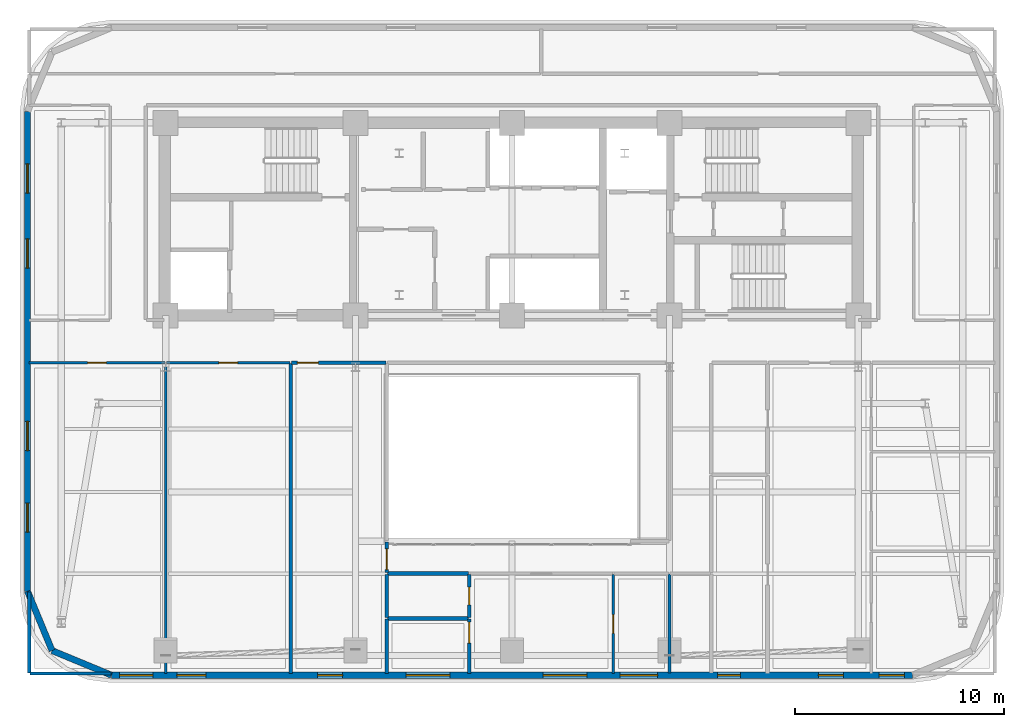
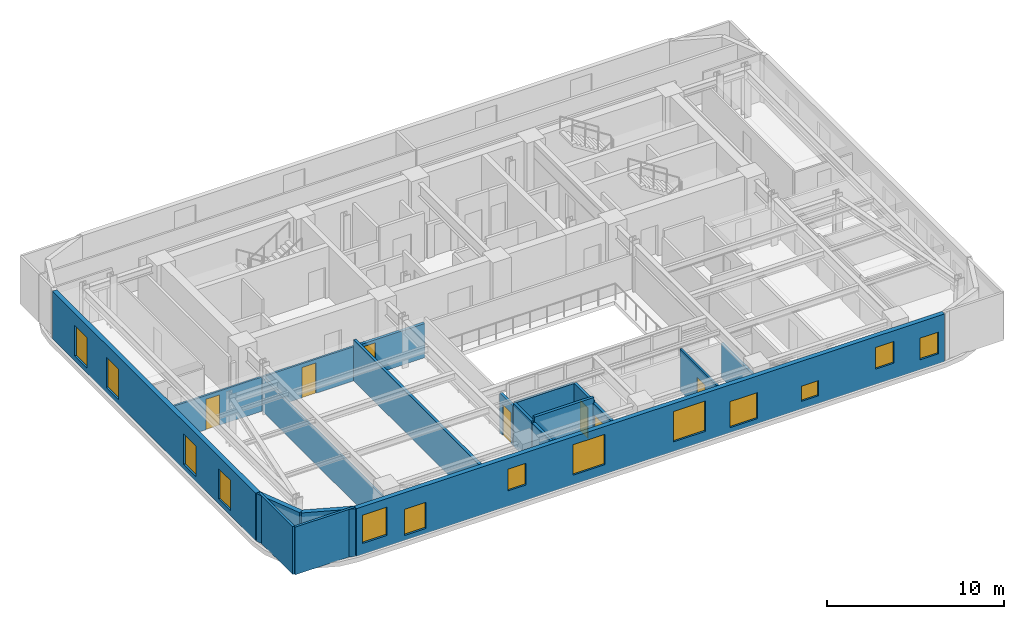
# One storey, part 5 of 12: 20 walls, 13 windows, 7 doors, 20 openings.
"""IFC4 building model written with IfcOpenShell, lengths in metres."""

from ifc_helpers import new_model, si_unit, direction, frame, frame_2d, origin, place, context, subcontext, project, spatial, rectangle, extrude, material, layer, layer_set, type_object, element, fill, save


model = new_model("IFC4")

# Units and contexts
model_context = context("Model", 3, precision=1e-05, world=origin(), true_north=direction((0.0, 1.0)))
body_context = subcontext(model_context, "Body", "Model", "MODEL_VIEW")
ifc_project = project(units=[si_unit("LENGTHUNIT", "METRE"), si_unit("AREAUNIT", "SQUARE_METRE"), si_unit("VOLUMEUNIT", "CUBIC_METRE"), si_unit("PLANEANGLEUNIT", "RADIAN"), si_unit("MASSUNIT", "GRAM", prefix="KILO")], contexts=[model_context])

# Site, building, storey
site_placement = place(None, origin())
site = spatial("IfcSite", under=ifc_project, at=site_placement, CompositionType="ELEMENT")
building_placement = place(site_placement, origin())
building = spatial("IfcBuilding", under=site, at=building_placement, Name="Zarnavel Station Tower", CompositionType="ELEMENT")
storey_placement = place(building_placement, frame((0.0, 0.0, 159.0)))
storey = spatial("IfcBuildingStorey", under=building, at=storey_placement, Name="L43", CompositionType="ELEMENT", Elevation=159.0)

# Wall, openings, windows
ifc_material_1 = material(Name="Precast concrete C45/55 (Dark Basalt Finish)", Category="masonry")
ifc_layer_1 = layer(ifc_material_1, 0.300048828125)
ifc_layer_set_1 = layer_set([ifc_layer_1], Name="EW_BASALT_300")
wall_type_1 = type_object("IfcWallType", Name="EW_BASALT_300", PredefinedType="SOLIDWALL", material=ifc_layer_set_1)
wall_1_placement = place(storey_placement, frame((5.580078125, 14.60009765625, 0.0), z_axis=(0.0, 0.0, 1.0), x_axis=(0.0, 1.0, 0.0)))
wall_1 = element("IfcWall", 1, at=wall_1_placement, inside=storey, type_object=wall_type_1, Name="L43 Exterior Basalt Masonry Frame Wall 09", PredefinedType="SOLIDWALL", context=body_context, shape_type="SweptSolid", body=[
    extrude(rectangle(XDim=23.0, YDim=0.300048828125, at=frame_2d((11.5, 0.0))), origin(), (0.0, 0.0, 1.0), 3.2900390625),
])
opening_1_placement = place(wall_1_placement, frame((15.493408203125, 0.0, 0.340087890625)))
opening_1 = element("IfcOpeningElement", 2, at=opening_1_placement, cuts=wall_1, Name="Opening WN04", PredefinedType="OPENING", context=body_context, shape_type="SweptSolid", body=[
    extrude(rectangle(XDim=1.39990234375, YDim=2.10009765625, at=frame_2d((0.699951171875, 1.050048828125))), frame((0.0, 0.159912109375, 0.0), z_axis=(0.0, -1.0, 0.0), x_axis=(1.0, 0.0, 0.0)), (0.0, 0.0, 1.0), 0.320068359375),
])
opening_2_placement = place(wall_1_placement, frame((19.086669921875, 0.0, 0.340087890625)))
opening_2 = element("IfcOpeningElement", 3, at=opening_2_placement, cuts=wall_1, Name="Opening WN04", PredefinedType="OPENING", context=body_context, shape_type="SweptSolid", body=[
    extrude(rectangle(XDim=1.39990234375, YDim=2.10009765625, at=frame_2d((0.699951171875, 1.050048828125))), frame((0.0, 0.159912109375, 0.0), z_axis=(0.0, -1.0, 0.0), x_axis=(1.0, 0.0, 0.0)), (0.0, 0.0, 1.0), 0.320068359375),
])
opening_3_placement = place(wall_1_placement, frame((2.830078125, 0.0, 0.340087890625)))
opening_3 = element("IfcOpeningElement", 4, at=opening_3_placement, cuts=wall_1, Name="Opening WN04", PredefinedType="OPENING", context=body_context, shape_type="SweptSolid", body=[
    extrude(rectangle(XDim=1.39990234375, YDim=2.10009765625, at=frame_2d((0.699951171875, 1.050048828125))), frame((0.0, 0.159912109375, 0.0), z_axis=(0.0, -1.0, 0.0), x_axis=(1.0, 0.0, 0.0)), (0.0, 0.0, 1.0), 0.320068359375),
])
opening_4_placement = place(wall_1_placement, frame((6.739990234375, 0.0, 0.340087890625)))
opening_4 = element("IfcOpeningElement", 5, at=opening_4_placement, cuts=wall_1, Name="Opening WN04", PredefinedType="OPENING", context=body_context, shape_type="SweptSolid", body=[
    extrude(rectangle(XDim=1.39990234375, YDim=2.10009765625, at=frame_2d((0.699951171875, 1.050048828125))), frame((0.0, 0.159912109375, 0.0), z_axis=(0.0, -1.0, 0.0), x_axis=(1.0, 0.0, 0.0)), (0.0, 0.0, 1.0), 0.320068359375),
])
ifc_material_2 = material(Name="Thermally Broken Black Aluminium and Low-E Dark Glass", Category="aluminium")
window_type_1 = type_object("IfcWindowType", Name="WN_1400x2100", PartitioningType="DOUBLE_PANEL_VERTICAL", PredefinedType="WINDOW", material=ifc_material_2)
window_1_placement = place(opening_1_placement, origin())
window_1 = element("IfcWindow", 6, at=window_1_placement, inside=storey, type_object=window_type_1, Name="L43 Recessed Facade Window 01", OverallHeight=2.10009765625, OverallWidth=1.39990234375, PartitioningType="SINGLE_PANEL", PredefinedType="WINDOW", context=body_context, shape_type="SweptSolid", body=[
    extrude(rectangle(XDim=1.39990234375, YDim=2.10009765625, at=frame_2d((0.699951171875, 1.050048828125))), frame((0.0, 0.030029296875, 0.0), z_axis=(0.0, -1.0, 0.0), x_axis=(1.0, 0.0, 0.0)), (0.0, 0.0, 1.0), 0.06005859375),
])
fill(opening_1, window_1)
window_2_placement = place(opening_2_placement, origin())
window_2 = element("IfcWindow", 7, at=window_2_placement, inside=storey, type_object=window_type_1, Name="L43 Recessed Facade Window 02", OverallHeight=2.10009765625, OverallWidth=1.39990234375, PartitioningType="SINGLE_PANEL", PredefinedType="WINDOW", context=body_context, shape_type="SweptSolid", body=[
    extrude(rectangle(XDim=1.39990234375, YDim=2.10009765625, at=frame_2d((0.699951171875, 1.050048828125))), frame((0.0, 0.030029296875, 0.0), z_axis=(0.0, -1.0, 0.0), x_axis=(1.0, 0.0, 0.0)), (0.0, 0.0, 1.0), 0.06005859375),
])
fill(opening_2, window_2)
window_3_placement = place(opening_3_placement, origin())
window_3 = element("IfcWindow", 8, at=window_3_placement, inside=storey, type_object=window_type_1, Name="L43 Recessed Facade Window 03", OverallHeight=2.10009765625, OverallWidth=1.39990234375, PartitioningType="SINGLE_PANEL", PredefinedType="WINDOW", context=body_context, shape_type="SweptSolid", body=[
    extrude(rectangle(XDim=1.39990234375, YDim=2.10009765625, at=frame_2d((0.699951171875, 1.050048828125))), frame((0.0, 0.030029296875, 0.0), z_axis=(0.0, -1.0, 0.0), x_axis=(1.0, 0.0, 0.0)), (0.0, 0.0, 1.0), 0.06005859375),
])
fill(opening_3, window_3)
window_4_placement = place(opening_4_placement, origin())
window_4 = element("IfcWindow", 9, at=window_4_placement, inside=storey, type_object=window_type_1, Name="L43 Recessed Facade Window 04", OverallHeight=2.10009765625, OverallWidth=1.39990234375, PartitioningType="SINGLE_PANEL", PredefinedType="WINDOW", context=body_context, shape_type="SweptSolid", body=[
    extrude(rectangle(XDim=1.39990234375, YDim=2.10009765625, at=frame_2d((0.699951171875, 1.050048828125))), frame((0.0, 0.030029296875, 0.0), z_axis=(0.0, -1.0, 0.0), x_axis=(1.0, 0.0, 0.0)), (0.0, 0.0, 1.0), 0.06005859375),
])
fill(opening_4, window_4)

# Walls
for number, where, z_axis, x_axis, name in (
    (10, (6.75732421875, 11.75732421875, 0.0), (0.0, 0.0, 1.0), (-0.382608747773, 0.923910464346, 0.0), "L43 Exterior Basalt Masonry Frame Wall 10"),
    (11, (9.60009765625, 10.580078125, 0.0), (0.0, 0.0, 1.0), (-0.923910464346, 0.382608747773, 0.0), "L43 Exterior Basalt Masonry Frame Wall 11"),
):
    element("IfcWall", number, at=place(storey_placement, frame(where, z_axis=z_axis, x_axis=x_axis)), inside=storey, type_object=wall_type_1, Name=name, PredefinedType="SOLIDWALL", context=body_context, shape_type="SweptSolid", body=[
        extrude(rectangle(XDim=3.076904296875, YDim=0.300048828125, at=frame_2d((1.53857421875, 0.0))), origin(), (0.0, 0.0, 1.0), 3.2900390625),
    ])

# Wall, openings, windows
wall_2_placement = place(storey_placement, frame((48.0, 10.580078125, 0.0), z_axis=(0.0, 0.0, 1.0), x_axis=(-1.0, 0.0, 0.0)))
wall_2 = element("IfcWall", 12, at=wall_2_placement, inside=storey, type_object=wall_type_1, Name="L43 Exterior Basalt Masonry Frame Wall 12", PredefinedType="SOLIDWALL", context=body_context, shape_type="SweptSolid", body=[
    extrude(rectangle(XDim=38.39990234375, YDim=0.300048828125, at=frame_2d((19.199951171875, 0.0))), origin(), (0.0, 0.0, 1.0), 3.2900390625),
])
opening_5_placement = place(wall_2_placement, frame((36.406982421875, 0.0, 0.75)))
opening_5 = element("IfcOpeningElement", 13, at=opening_5_placement, cuts=wall_2, Name="Opening WN06", PredefinedType="OPENING", context=body_context, shape_type="SweptSolid", body=[
    extrude(rectangle(XDim=1.60009765625, YDim=1.949951171875, at=frame_2d((0.800048828125, 0.97509765625))), frame((0.0, 0.159912109375, 0.0), z_axis=(0.0, -1.0, 0.0), x_axis=(1.0, 0.0, 0.0)), (0.0, 0.0, 1.0), 0.320068359375),
])
opening_6_placement = place(wall_2_placement, frame((33.8662109375, 0.0, 0.340087890625)))
opening_6 = element("IfcOpeningElement", 14, at=opening_6_placement, cuts=wall_2, Name="Opening WN01", PredefinedType="OPENING", context=body_context, shape_type="SweptSolid", body=[
    extrude(rectangle(XDim=1.39990234375, YDim=1.800048828125, at=frame_2d((0.699951171875, 0.89990234375))), frame((0.0, 0.159912109375, 0.0), z_axis=(0.0, -1.0, 0.0), x_axis=(1.0, 0.0, 0.0)), (0.0, 0.0, 1.0), 0.320068359375),
])
opening_7_placement = place(wall_2_placement, frame((27.319091796875, 0.0, 1.050048828125)))
opening_7 = element("IfcOpeningElement", 15, at=opening_7_placement, cuts=wall_2, Name="Opening WN08", PredefinedType="OPENING", context=body_context, shape_type="SweptSolid", body=[
    extrude(rectangle(XDim=1.199951171875, YDim=1.5, at=frame_2d((0.60009765625, 0.75))), frame((0.0, 0.159912109375, 0.0), z_axis=(0.0, -1.0, 0.0), x_axis=(1.0, 0.0, 0.0)), (0.0, 0.0, 1.0), 0.320068359375),
])
opening_8_placement = place(wall_2_placement, frame((15.608154296875, 0.0, 0.64990234375)))
opening_8 = element("IfcOpeningElement", 16, at=opening_8_placement, cuts=wall_2, Name="Opening WN05", PredefinedType="OPENING", context=body_context, shape_type="SweptSolid", body=[
    extrude(rectangle(XDim=2.10009765625, YDim=2.10009765625, at=frame_2d((1.050048828125, 1.050048828125))), frame((0.0, 0.159912109375, 0.0), z_axis=(0.0, -1.0, 0.0), x_axis=(1.0, 0.0, 0.0)), (0.0, 0.0, 1.0), 0.320068359375),
])
opening_9_placement = place(wall_2_placement, frame((22.175048828125, 0.0, 0.64990234375)))
opening_9 = element("IfcOpeningElement", 17, at=opening_9_placement, cuts=wall_2, Name="Opening WN05", PredefinedType="OPENING", context=body_context, shape_type="SweptSolid", body=[
    extrude(rectangle(XDim=2.10009765625, YDim=2.10009765625, at=frame_2d((1.050048828125, 1.050048828125))), frame((0.0, 0.159912109375, 0.0), z_axis=(0.0, -1.0, 0.0), x_axis=(1.0, 0.0, 0.0)), (0.0, 0.0, 1.0), 0.320068359375),
])
opening_10_placement = place(wall_2_placement, frame((12.216796875, 0.0, 0.340087890625)))
opening_10 = element("IfcOpeningElement", 18, at=opening_10_placement, cuts=wall_2, Name="Opening WN02", PredefinedType="OPENING", context=body_context, shape_type="SweptSolid", body=[
    extrude(rectangle(XDim=1.800048828125, YDim=1.800048828125, at=frame_2d((0.89990234375, 0.89990234375))), frame((0.0, 0.159912109375, 0.0), z_axis=(0.0, -1.0, 0.0), x_axis=(1.0, 0.0, 0.0)), (0.0, 0.0, 1.0), 0.320068359375),
])
opening_11_placement = place(wall_2_placement, frame((3.319091796875, 0.0, 1.050048828125)))
opening_11 = element("IfcOpeningElement", 19, at=opening_11_placement, cuts=wall_2, Name="Opening WN08", PredefinedType="OPENING", context=body_context, shape_type="SweptSolid", body=[
    extrude(rectangle(XDim=1.199951171875, YDim=1.5, at=frame_2d((0.60009765625, 0.75))), frame((0.0, 0.159912109375, 0.0), z_axis=(0.0, -1.0, 0.0), x_axis=(1.0, 0.0, 0.0)), (0.0, 0.0, 1.0), 0.320068359375),
])
opening_12_placement = place(wall_2_placement, frame((8.25, 0.0, 0.52001953125)))
opening_12 = element("IfcOpeningElement", 20, at=opening_12_placement, cuts=wall_2, Name="Opening WN09", PredefinedType="OPENING", context=body_context, shape_type="SweptSolid", body=[
    extrude(rectangle(XDim=1.10009765625, YDim=1.050048828125, at=frame_2d((0.550048828125, 0.52490234375))), frame((0.0, 0.159912109375, 0.0), z_axis=(0.0, -1.0, 0.0), x_axis=(1.0, 0.0, 0.0)), (0.0, 0.0, 1.0), 0.320068359375),
])
opening_13_placement = place(wall_2_placement, frame((0.39990234375, 0.0, 0.679931640625)))
opening_13 = element("IfcOpeningElement", 21, at=opening_13_placement, cuts=wall_2, Name="Opening WN08", PredefinedType="OPENING", context=body_context, shape_type="SweptSolid", body=[
    extrude(rectangle(XDim=1.199951171875, YDim=1.5, at=frame_2d((0.60009765625, 0.75))), frame((0.0, 0.159912109375, 0.0), z_axis=(0.0, -1.0, 0.0), x_axis=(1.0, 0.0, 0.0)), (0.0, 0.0, 1.0), 0.320068359375),
])
ifc_material_3 = material(Name="Thermally Broken Black Aluminium and Low-E Dark Glass", Category="aluminium")
window_type_2 = type_object("IfcWindowType", Name="WN_1100x1050", PartitioningType="SINGLE_PANEL", PredefinedType="WINDOW", material=ifc_material_3)
window_5_placement = place(opening_12_placement, origin())
window_5 = element("IfcWindow", 22, at=window_5_placement, inside=storey, type_object=window_type_2, Name="L43 Recessed Facade Window 08", OverallHeight=1.050048828125, OverallWidth=1.10009765625, PartitioningType="SINGLE_PANEL", PredefinedType="WINDOW", context=body_context, shape_type="SweptSolid", body=[
    extrude(rectangle(XDim=1.10009765625, YDim=1.050048828125, at=frame_2d((0.550048828125, 0.52490234375))), frame((0.0, 0.030029296875, 0.0), z_axis=(0.0, -1.0, 0.0), x_axis=(1.0, 0.0, 0.0)), (0.0, 0.0, 1.0), 0.06005859375),
])
fill(opening_12, window_5)
ifc_material_4 = material(Name="Thermally Broken Black Aluminium and Low-E Dark Glass", Category="aluminium")
window_type_3 = type_object("IfcWindowType", Name="WN_1200x1500", PartitioningType="SINGLE_PANEL", PredefinedType="WINDOW", material=ifc_material_4)
window_6_placement = place(opening_7_placement, origin())
window_6 = element("IfcWindow", 23, at=window_6_placement, inside=storey, type_object=window_type_3, Name="L43 Recessed Facade Window 03", OverallHeight=1.5, OverallWidth=1.199951171875, PartitioningType="SINGLE_PANEL", PredefinedType="WINDOW", context=body_context, shape_type="SweptSolid", body=[
    extrude(rectangle(XDim=1.199951171875, YDim=1.5, at=frame_2d((0.60009765625, 0.75))), frame((0.0, 0.030029296875, 0.0), z_axis=(0.0, -1.0, 0.0), x_axis=(1.0, 0.0, 0.0)), (0.0, 0.0, 1.0), 0.06005859375),
])
fill(opening_7, window_6)
window_7_placement = place(opening_11_placement, origin())
window_7 = element("IfcWindow", 24, at=window_7_placement, inside=storey, type_object=window_type_3, Name="L43 Recessed Facade Window 07", OverallHeight=1.5, OverallWidth=1.199951171875, PartitioningType="SINGLE_PANEL", PredefinedType="WINDOW", context=body_context, shape_type="SweptSolid", body=[
    extrude(rectangle(XDim=1.199951171875, YDim=1.5, at=frame_2d((0.60009765625, 0.75))), frame((0.0, 0.030029296875, 0.0), z_axis=(0.0, -1.0, 0.0), x_axis=(1.0, 0.0, 0.0)), (0.0, 0.0, 1.0), 0.06005859375),
])
fill(opening_11, window_7)
window_8_placement = place(opening_13_placement, origin())
window_8 = element("IfcWindow", 25, at=window_8_placement, inside=storey, type_object=window_type_3, Name="L43 Recessed Facade Window 09", OverallHeight=1.5, OverallWidth=1.199951171875, PartitioningType="SINGLE_PANEL", PredefinedType="WINDOW", context=body_context, shape_type="SweptSolid", body=[
    extrude(rectangle(XDim=1.199951171875, YDim=1.5, at=frame_2d((0.60009765625, 0.75))), frame((0.0, 0.030029296875, 0.0), z_axis=(0.0, -1.0, 0.0), x_axis=(1.0, 0.0, 0.0)), (0.0, 0.0, 1.0), 0.06005859375),
])
fill(opening_13, window_8)
ifc_material_5 = material(Name="Thermally Broken Black Aluminium and Low-E Dark Glass", Category="aluminium")
window_type_4 = type_object("IfcWindowType", Name="WN_1400x1800", PartitioningType="DOUBLE_PANEL_VERTICAL", PredefinedType="WINDOW", material=ifc_material_5)
window_9_placement = place(opening_6_placement, origin())
window_9 = element("IfcWindow", 26, at=window_9_placement, inside=storey, type_object=window_type_4, Name="L43 Recessed Facade Window 02", OverallHeight=1.800048828125, OverallWidth=1.39990234375, PartitioningType="SINGLE_PANEL", PredefinedType="WINDOW", context=body_context, shape_type="SweptSolid", body=[
    extrude(rectangle(XDim=1.39990234375, YDim=1.800048828125, at=frame_2d((0.699951171875, 0.89990234375))), frame((0.0, 0.030029296875, 0.0), z_axis=(0.0, -1.0, 0.0), x_axis=(1.0, 0.0, 0.0)), (0.0, 0.0, 1.0), 0.06005859375),
])
fill(opening_6, window_9)
ifc_material_6 = material(Name="Thermally Broken Black Aluminium and Low-E Dark Glass", Category="aluminium")
window_type_5 = type_object("IfcWindowType", Name="WN_1600x1950", PartitioningType="DOUBLE_PANEL_VERTICAL", PredefinedType="WINDOW", material=ifc_material_6)
window_10_placement = place(opening_5_placement, origin())
window_10 = element("IfcWindow", 27, at=window_10_placement, inside=storey, type_object=window_type_5, Name="L43 Recessed Facade Window 01", OverallHeight=1.949951171875, OverallWidth=1.60009765625, PartitioningType="SINGLE_PANEL", PredefinedType="WINDOW", context=body_context, shape_type="SweptSolid", body=[
    extrude(rectangle(XDim=1.60009765625, YDim=1.949951171875, at=frame_2d((0.800048828125, 0.97509765625))), frame((0.0, 0.030029296875, 0.0), z_axis=(0.0, -1.0, 0.0), x_axis=(1.0, 0.0, 0.0)), (0.0, 0.0, 1.0), 0.06005859375),
])
fill(opening_5, window_10)
ifc_material_7 = material(Name="Thermally Broken Black Aluminium and Low-E Dark Glass", Category="aluminium")
window_type_6 = type_object("IfcWindowType", Name="WN_1800x1800", PartitioningType="DOUBLE_PANEL_VERTICAL", PredefinedType="WINDOW", material=ifc_material_7)
window_11_placement = place(opening_10_placement, origin())
window_11 = element("IfcWindow", 28, at=window_11_placement, inside=storey, type_object=window_type_6, Name="L43 Recessed Facade Window 06", OverallHeight=1.800048828125, OverallWidth=1.800048828125, PartitioningType="SINGLE_PANEL", PredefinedType="WINDOW", context=body_context, shape_type="SweptSolid", body=[
    extrude(rectangle(XDim=1.800048828125, YDim=1.800048828125, at=frame_2d((0.89990234375, 0.89990234375))), frame((0.0, 0.030029296875, 0.0), z_axis=(0.0, -1.0, 0.0), x_axis=(1.0, 0.0, 0.0)), (0.0, 0.0, 1.0), 0.06005859375),
])
fill(opening_10, window_11)
ifc_material_8 = material(Name="Thermally Broken Black Aluminium and Low-E Dark Glass", Category="aluminium")
window_type_7 = type_object("IfcWindowType", Name="WN_2100x2100", PartitioningType="TRIPLE_PANEL_VERTICAL", PredefinedType="WINDOW", material=ifc_material_8)
window_12_placement = place(opening_8_placement, origin())
window_12 = element("IfcWindow", 29, at=window_12_placement, inside=storey, type_object=window_type_7, Name="L43 Recessed Facade Window 04", OverallHeight=2.10009765625, OverallWidth=2.10009765625, PartitioningType="SINGLE_PANEL", PredefinedType="WINDOW", context=body_context, shape_type="SweptSolid", body=[
    extrude(rectangle(XDim=2.10009765625, YDim=2.10009765625, at=frame_2d((1.050048828125, 1.050048828125))), frame((0.0, 0.030029296875, 0.0), z_axis=(0.0, -1.0, 0.0), x_axis=(1.0, 0.0, 0.0)), (0.0, 0.0, 1.0), 0.06005859375),
])
fill(opening_8, window_12)
window_13_placement = place(opening_9_placement, origin())
window_13 = element("IfcWindow", 30, at=window_13_placement, inside=storey, type_object=window_type_7, Name="L43 Recessed Facade Window 05", OverallHeight=2.10009765625, OverallWidth=2.10009765625, PartitioningType="SINGLE_PANEL", PredefinedType="WINDOW", context=body_context, shape_type="SweptSolid", body=[
    extrude(rectangle(XDim=2.10009765625, YDim=2.10009765625, at=frame_2d((1.050048828125, 1.050048828125))), frame((0.0, 0.030029296875, 0.0), z_axis=(0.0, -1.0, 0.0), x_axis=(1.0, 0.0, 0.0)), (0.0, 0.0, 1.0), 0.06005859375),
])
fill(opening_9, window_13)

# Walls
ifc_material_9 = material(Name="Gypsum Twin-Stud Acoustic Fire Partition", Category="concrete")
ifc_layer_2 = layer(ifc_material_9, 0.159912109375)
ifc_layer_set_2 = layer_set([ifc_layer_2], Name="PT_DEMISE_160")
wall_type_2 = type_object("IfcWallType", Name="PT_DEMISE_160", PredefinedType="PARTITIONING", material=ifc_layer_set_2)
for number, where, z_axis, x_axis, name in (
    (31, (5.68994140625, 10.659912109375, 0.0), (0.0, 0.0, 1.0), (1.0, 0.0, 0.0), "L43 Enclosure Wall L43GAL"),
    (32, (5.659912109375, 10.68994140625, 0.0), (0.0, 0.0, 1.0), (0.0, 1.0, 0.0), "L43 Enclosure Wall L43GAL"),
):
    element("IfcWall", number, at=place(storey_placement, frame(where, z_axis=z_axis, x_axis=x_axis)), inside=storey, type_object=wall_type_2, Name=name, PredefinedType="PARTITIONING", context=body_context, shape_type="SweptSolid", body=[
        extrude(rectangle(XDim=3.880126953125, YDim=0.159912109375, at=frame_2d((1.93994140625, 0.0))), origin(), (0.0, 0.0, 1.0), 3.2900390625),
    ])
wall_3_placement = place(storey_placement, frame((36.35009765625, 10.68994140625, 0.0), z_axis=(0.0, 0.0, 1.0), x_axis=(0.0, 1.0, 0.0)))
element("IfcWall", 33, at=wall_3_placement, inside=storey, type_object=wall_type_2, Name="L43 Enclosure Wall US1B1", PredefinedType="PARTITIONING", context=body_context, shape_type="SweptSolid", body=[
    extrude(rectangle(XDim=4.72998046875, YDim=0.159912109375, at=frame_2d((2.364990234375, 0.0))), origin(), (0.0, 0.0, 1.0), 2.360107421875),
])

# Wall, opening, door
ifc_material_10 = material(Name="Gypsum Metal-Stud Interior Partition", Category="concrete")
ifc_layer_3 = layer(ifc_material_10, 0.1201171875)
ifc_layer_set_3 = layer_set([ifc_layer_3], Name="PT_ROOM_120")
wall_type_3 = type_object("IfcWallType", Name="PT_ROOM_120", PredefinedType="PARTITIONING", material=ifc_layer_set_3)
wall_4_placement = place(storey_placement, frame((5.659912109375, 25.550048828125, 0.0), z_axis=(0.0, 0.0, 1.0), x_axis=(1.0, 0.0, 0.0)))
wall_4 = element("IfcWall", 34, at=wall_4_placement, inside=storey, type_object=wall_type_3, Name="L43 Partition COR-S-L43GAL", PredefinedType="PARTITIONING", context=body_context, shape_type="SweptSolid", body=[
    extrude(rectangle(XDim=6.5, YDim=0.1201171875, at=frame_2d((3.25, 0.0))), origin(), (0.0, 0.0, 1.0), 2.360107421875),
])
opening_14_placement = place(wall_4_placement, frame((2.800048828125, 0.0, 0.0)))
opening_14 = element("IfcOpeningElement", 35, at=opening_14_placement, cuts=wall_4, Name="Opening ID01", PredefinedType="OPENING", context=body_context, shape_type="SweptSolid", body=[
    extrude(rectangle(XDim=0.89990234375, YDim=2.10009765625, at=frame_2d((0.449951171875, 1.050048828125))), frame((0.0, 0.070068359375, 0.0), z_axis=(0.0, -1.0, 0.0), x_axis=(1.0, 0.0, 0.0)), (0.0, 0.0, 1.0), 0.14013671875),
])
ifc_material_11 = material(Name="Painted Galvanised Steel and Hardwood Leaf", Category="steel")
door_type_1 = type_object("IfcDoorType", Name="ID_ROOM_900", OperationType="NOTDEFINED", PredefinedType="DOOR", material=ifc_material_11)
door_1_placement = place(opening_14_placement, origin())
door_1 = element("IfcDoor", 36, at=door_1_placement, inside=storey, type_object=door_type_1, Name="L43 Door COR-S-L43GAL", OperationType="SINGLE_SWING_RIGHT", OverallHeight=2.10009765625, OverallWidth=0.89990234375, PredefinedType="DOOR", context=body_context, shape_type="SweptSolid", body=[
    extrude(rectangle(XDim=0.89990234375, YDim=2.10009765625, at=frame_2d((0.449951171875, 1.050048828125))), frame((0.0, 0.02490234375, 0.0), z_axis=(0.0, -1.0, 0.0), x_axis=(1.0, 0.0, 0.0)), (0.0, 0.0, 1.0), 0.050048828125),
])
fill(opening_14, door_1)

wall_5_placement = place(storey_placement, frame((12.239990234375, 25.550048828125, 0.0), z_axis=(0.0, 0.0, 1.0), x_axis=(1.0, 0.0, 0.0)))
wall_5 = element("IfcWall", 37, at=wall_5_placement, inside=storey, type_object=wall_type_3, Name="L43 Partition COR-S-L43FOY", PredefinedType="PARTITIONING", context=body_context, shape_type="SweptSolid", body=[
    extrude(rectangle(XDim=5.919921875, YDim=0.1201171875, at=frame_2d((2.9599609375, 0.0))), origin(), (0.0, 0.0, 1.0), 2.360107421875),
])
opening_15_placement = place(wall_5_placement, frame((2.510009765625, 0.0, 0.0)))
opening_15 = element("IfcOpeningElement", 38, at=opening_15_placement, cuts=wall_5, Name="Opening ID01", PredefinedType="OPENING", context=body_context, shape_type="SweptSolid", body=[
    extrude(rectangle(XDim=0.89990234375, YDim=2.10009765625, at=frame_2d((0.449951171875, 1.050048828125))), frame((0.0, 0.070068359375, 0.0), z_axis=(0.0, -1.0, 0.0), x_axis=(1.0, 0.0, 0.0)), (0.0, 0.0, 1.0), 0.14013671875),
])
door_2_placement = place(opening_15_placement, origin())
door_2 = element("IfcDoor", 39, at=door_2_placement, inside=storey, type_object=door_type_1, Name="L43 Door COR-S-L43FOY", OperationType="SINGLE_SWING_LEFT", OverallHeight=2.10009765625, OverallWidth=0.89990234375, PredefinedType="DOOR", context=body_context, shape_type="SweptSolid", body=[
    extrude(rectangle(XDim=0.89990234375, YDim=2.10009765625, at=frame_2d((0.449951171875, 1.050048828125))), frame((0.0, 0.02490234375, 0.0), z_axis=(0.0, -1.0, 0.0), x_axis=(1.0, 0.0, 0.0)), (0.0, 0.0, 1.0), 0.050048828125),
])
fill(opening_15, door_2)

# Wall
wall_6_placement = place(storey_placement, frame((12.199951171875, 10.659912109375, 0.0), z_axis=(0.0, 0.0, 1.0), x_axis=(0.0, 1.0, 0.0)))
element("IfcWall", 40, at=wall_6_placement, inside=storey, type_object=wall_type_3, Name="L43 Partition L43GAL-L43FOY", PredefinedType="PARTITIONING", context=body_context, shape_type="SweptSolid", body=[
    extrude(rectangle(XDim=14.85009765625, YDim=0.1201171875, at=frame_2d((7.425048828125, 0.0))), origin(), (0.0, 0.0, 1.0), 2.360107421875),
])

# Wall, opening, door
wall_7_placement = place(storey_placement, frame((33.64990234375, 10.659912109375, 0.0), z_axis=(0.0, 0.0, 1.0), x_axis=(0.0, 1.0, 0.0)))
wall_7 = element("IfcWall", 41, at=wall_7_placement, inside=storey, type_object=wall_type_3, Name="L43 Partition US1LV-US1B1", PredefinedType="PARTITIONING", context=body_context, shape_type="SweptSolid", body=[
    extrude(rectangle(XDim=4.75, YDim=0.1201171875, at=frame_2d((2.375, 0.0))), origin(), (0.0, 0.0, 1.0), 2.909912109375),
])
opening_16_placement = place(wall_7_placement, frame((1.925048828125, 0.0, 0.0)))
opening_16 = element("IfcOpeningElement", 42, at=opening_16_placement, cuts=wall_7, Name="Opening ID01", PredefinedType="OPENING", context=body_context, shape_type="SweptSolid", body=[
    extrude(rectangle(XDim=0.89990234375, YDim=2.10009765625, at=frame_2d((0.449951171875, 1.050048828125))), frame((0.0, 0.070068359375, 0.0), z_axis=(0.0, -1.0, 0.0), x_axis=(1.0, 0.0, 0.0)), (0.0, 0.0, 1.0), 0.14013671875),
])
door_3_placement = place(opening_16_placement, origin())
door_3 = element("IfcDoor", 43, at=door_3_placement, inside=storey, type_object=door_type_1, Name="L43 Door US1LV-US1B1", OperationType="SINGLE_SWING_RIGHT", OverallHeight=2.10009765625, OverallWidth=0.89990234375, PredefinedType="DOOR", context=body_context, shape_type="SweptSolid", body=[
    extrude(rectangle(XDim=0.89990234375, YDim=2.10009765625, at=frame_2d((0.449951171875, 1.050048828125))), frame((0.0, 0.02490234375, 0.0), z_axis=(0.0, -1.0, 0.0), x_axis=(1.0, 0.0, 0.0)), (0.0, 0.0, 1.0), 0.050048828125),
])
fill(opening_16, door_3)

ifc_material_12 = material(Name="Moisture-Resistant Plumbing Chase Wall", Category="concrete")
ifc_layer_4 = layer(ifc_material_12, 0.179931640625)
ifc_layer_set_4 = layer_set([ifc_layer_4], Name="PW_PLUMB_180")
wall_type_4 = type_object("IfcWallType", Name="PW_PLUMB_180", PredefinedType="PLUMBINGWALL", material=ifc_layer_set_4)
wall_8_placement = place(storey_placement, frame((18.239990234375, 25.550048828125, 0.0), z_axis=(0.0, 0.0, 1.0), x_axis=(1.0, 0.0, 0.0)))
wall_8 = element("IfcWall", 44, at=wall_8_placement, inside=storey, type_object=wall_type_4, Name="L43 Partition COR-S-L43KIT", PredefinedType="PLUMBINGWALL", context=body_context, shape_type="SweptSolid", body=[
    extrude(rectangle(XDim=4.52001953125, YDim=0.179931640625, at=frame_2d((2.260009765625, 0.0))), origin(), (0.0, 0.0, 1.0), 2.360107421875),
])
opening_17_placement = place(wall_8_placement, frame((0.27490234375, 0.0, 0.0)))
opening_17 = element("IfcOpeningElement", 45, at=opening_17_placement, cuts=wall_8, Name="Opening FD02", PredefinedType="OPENING", context=body_context, shape_type="SweptSolid", body=[
    extrude(rectangle(XDim=1.0, YDim=2.14990234375, at=frame_2d((0.5, 1.074951171875))), frame((0.0, 0.099853515625, 0.0), z_axis=(0.0, -1.0, 0.0), x_axis=(1.0, 0.0, 0.0)), (0.0, 0.0, 1.0), 0.199951171875),
])
ifc_material_13 = material(Name="Painted Galvanised Steel and Hardwood Leaf", Category="steel")
door_type_2 = type_object("IfcDoorType", Name="ID_ENTRY_1000", OperationType="NOTDEFINED", PredefinedType="DOOR", material=ifc_material_13)
door_4_placement = place(opening_17_placement, origin())
door_4 = element("IfcDoor", 46, at=door_4_placement, inside=storey, type_object=door_type_2, Name="L43 Door COR-S-L43KIT", OperationType="SINGLE_SWING_RIGHT", OverallHeight=2.14990234375, OverallWidth=1.0, PredefinedType="DOOR", context=body_context, shape_type="SweptSolid", body=[
    extrude(rectangle(XDim=1.0, YDim=2.14990234375, at=frame_2d((0.5, 1.074951171875))), frame((0.0, 0.02490234375, 0.0), z_axis=(0.0, -1.0, 0.0), x_axis=(1.0, 0.0, 0.0)), (0.0, 0.0, 1.0), 0.050048828125),
])
fill(opening_17, door_4)

wall_9_placement = place(storey_placement, frame((22.800048828125, 15.489990234375, 0.0), z_axis=(0.0, 0.0, 1.0), x_axis=(0.0, 1.0, 0.0)))
wall_9 = element("IfcWall", 47, at=wall_9_placement, inside=storey, type_object=wall_type_4, Name="L43 Partition COR-AS-L43KIT", PredefinedType="PLUMBINGWALL", context=body_context, shape_type="SweptSolid", body=[
    extrude(rectangle(XDim=1.469970703125, YDim=0.179931640625, at=frame_2d((0.73486328125, 0.0))), origin(), (0.0, 0.0, 1.0), 2.72998046875),
])
opening_18_placement = place(wall_9_placement, frame((0.14794921875, 0.0, 0.0)))
opening_18 = element("IfcOpeningElement", 48, at=opening_18_placement, cuts=wall_9, Name="Opening FD02", PredefinedType="OPENING", context=body_context, shape_type="SweptSolid", body=[
    extrude(rectangle(XDim=1.0, YDim=2.14990234375, at=frame_2d((0.5, 1.074951171875))), frame((0.0, 0.099853515625, 0.0), z_axis=(0.0, -1.0, 0.0), x_axis=(1.0, 0.0, 0.0)), (0.0, 0.0, 1.0), 0.199951171875),
])
door_5_placement = place(opening_18_placement, origin())
door_5 = element("IfcDoor", 49, at=door_5_placement, inside=storey, type_object=door_type_2, Name="L43 Door COR-AS-L43KIT", OperationType="SINGLE_SWING_RIGHT", OverallHeight=2.14990234375, OverallWidth=1.0, PredefinedType="DOOR", context=body_context, shape_type="SweptSolid", body=[
    extrude(rectangle(XDim=1.0, YDim=2.14990234375, at=frame_2d((0.5, 1.074951171875))), frame((0.0, 0.02490234375, 0.0), z_axis=(0.0, -1.0, 0.0), x_axis=(1.0, 0.0, 0.0)), (0.0, 0.0, 1.0), 0.050048828125),
])
fill(opening_18, door_5)

# Walls
wall_10_placement = place(storey_placement, frame((22.840087890625, 15.449951171875, 0.0), z_axis=(0.0, 0.0, 1.0), x_axis=(1.0, 0.0, 0.0)))
element("IfcWall", 50, at=wall_10_placement, inside=storey, type_object=wall_type_4, Name="L43 Partition COR-AS-US1BA", PredefinedType="PLUMBINGWALL", context=body_context, shape_type="SweptSolid", body=[
    extrude(rectangle(XDim=3.869873046875, YDim=0.179931640625, at=frame_2d((1.93505859375, 0.0))), origin(), (0.0, 0.0, 1.0), 2.969970703125),
])
wall_11_placement = place(storey_placement, frame((18.199951171875, 10.659912109375, 0.0), z_axis=(0.0, 0.0, 1.0), x_axis=(0.0, 1.0, 0.0)))
element("IfcWall", 51, at=wall_11_placement, inside=storey, type_object=wall_type_4, Name="L43 Partition L43FOY-L43KIT", PredefinedType="PLUMBINGWALL", context=body_context, shape_type="SweptSolid", body=[
    extrude(rectangle(XDim=14.85009765625, YDim=0.179931640625, at=frame_2d((7.425048828125, 0.0))), origin(), (0.0, 0.0, 1.0), 2.820068359375),
])
wall_12_placement = place(storey_placement, frame((22.800048828125, 10.659912109375, 0.0), z_axis=(0.0, 0.0, 1.0), x_axis=(0.0, 1.0, 0.0)))
element("IfcWall", 52, at=wall_12_placement, inside=storey, type_object=wall_type_4, Name="L43 Partition L43KIT-US1KT", PredefinedType="PLUMBINGWALL", context=body_context, shape_type="SweptSolid", body=[
    extrude(rectangle(XDim=2.60009765625, YDim=0.179931640625, at=frame_2d((1.300048828125, 0.0))), origin(), (0.0, 0.0, 1.0), 2.909912109375),
])
wall_13_placement = place(storey_placement, frame((22.800048828125, 13.340087890625, 0.0), z_axis=(0.0, 0.0, 1.0), x_axis=(0.0, 1.0, 0.0)))
element("IfcWall", 53, at=wall_13_placement, inside=storey, type_object=wall_type_4, Name="L43 Partition L43KIT-US1BA", PredefinedType="PLUMBINGWALL", context=body_context, shape_type="SweptSolid", body=[
    extrude(rectangle(XDim=2.06982421875, YDim=0.179931640625, at=frame_2d((1.034912109375, 0.0))), origin(), (0.0, 0.0, 1.0), 2.969970703125),
])

# Wall, opening, door
wall_14_placement = place(storey_placement, frame((26.75, 10.659912109375, 0.0), z_axis=(0.0, 0.0, 1.0), x_axis=(0.0, 1.0, 0.0)))
wall_14 = element("IfcWall", 54, at=wall_14_placement, inside=storey, type_object=wall_type_4, Name="L43 Partition US1LV-US1KT", PredefinedType="PLUMBINGWALL", context=body_context, shape_type="SweptSolid", body=[
    extrude(rectangle(XDim=2.60009765625, YDim=0.179931640625, at=frame_2d((1.300048828125, 0.0))), origin(), (0.0, 0.0, 1.0), 2.909912109375),
])
opening_19_placement = place(wall_14_placement, frame((1.4599609375, 0.0, 0.0)))
opening_19 = element("IfcOpeningElement", 55, at=opening_19_placement, cuts=wall_14, Name="Opening FD02", PredefinedType="OPENING", context=body_context, shape_type="SweptSolid", body=[
    extrude(rectangle(XDim=1.0, YDim=2.14990234375, at=frame_2d((0.5, 1.074951171875))), frame((0.0, 0.099853515625, 0.0), z_axis=(0.0, -1.0, 0.0), x_axis=(1.0, 0.0, 0.0)), (0.0, 0.0, 1.0), 0.199951171875),
])
door_6_placement = place(opening_19_placement, origin())
door_6 = element("IfcDoor", 56, at=door_6_placement, inside=storey, type_object=door_type_2, Name="L43 Door US1LV-US1KT", OperationType="SINGLE_SWING_RIGHT", OverallHeight=2.14990234375, OverallWidth=1.0, PredefinedType="DOOR", context=body_context, shape_type="SweptSolid", body=[
    extrude(rectangle(XDim=1.0, YDim=2.14990234375, at=frame_2d((0.5, 1.074951171875))), frame((0.0, 0.02490234375, 0.0), z_axis=(0.0, -1.0, 0.0), x_axis=(1.0, 0.0, 0.0)), (0.0, 0.0, 1.0), 0.050048828125),
])
fill(opening_19, door_6)

wall_15_placement = place(storey_placement, frame((26.75, 13.340087890625, 0.0), z_axis=(0.0, 0.0, 1.0), x_axis=(0.0, 1.0, 0.0)))
wall_15 = element("IfcWall", 57, at=wall_15_placement, inside=storey, type_object=wall_type_4, Name="L43 Partition US1LV-US1BA", PredefinedType="PLUMBINGWALL", context=body_context, shape_type="SweptSolid", body=[
    extrude(rectangle(XDim=2.06982421875, YDim=0.179931640625, at=frame_2d((1.034912109375, 0.0))), origin(), (0.0, 0.0, 1.0), 2.969970703125),
])
opening_20_placement = place(wall_15_placement, frame((0.610107421875, 0.0, 0.0)))
opening_20 = element("IfcOpeningElement", 58, at=opening_20_placement, cuts=wall_15, Name="Opening ID02", PredefinedType="OPENING", context=body_context, shape_type="SweptSolid", body=[
    extrude(rectangle(XDim=0.85009765625, YDim=2.10009765625, at=frame_2d((0.425048828125, 1.050048828125))), frame((0.0, 0.099853515625, 0.0), z_axis=(0.0, -1.0, 0.0), x_axis=(1.0, 0.0, 0.0)), (0.0, 0.0, 1.0), 0.199951171875),
])
ifc_material_14 = material(Name="Painted Galvanised Steel and Hardwood Leaf", Category="steel")
door_type_3 = type_object("IfcDoorType", Name="ID_BATH_850", OperationType="NOTDEFINED", PredefinedType="DOOR", material=ifc_material_14)
door_7_placement = place(opening_20_placement, origin())
door_7 = element("IfcDoor", 59, at=door_7_placement, inside=storey, type_object=door_type_3, Name="L43 Door US1LV-US1BA", OperationType="SINGLE_SWING_LEFT", OverallHeight=2.10009765625, OverallWidth=0.85009765625, PredefinedType="DOOR", context=body_context, shape_type="SweptSolid", body=[
    extrude(rectangle(XDim=0.85009765625, YDim=2.10009765625, at=frame_2d((0.425048828125, 1.050048828125))), frame((0.0, 0.02490234375, 0.0), z_axis=(0.0, -1.0, 0.0), x_axis=(1.0, 0.0, 0.0)), (0.0, 0.0, 1.0), 0.050048828125),
])
fill(opening_20, door_7)

# Wall
wall_16_placement = place(storey_placement, frame((22.840087890625, 13.300048828125, 0.0), z_axis=(0.0, 0.0, 1.0), x_axis=(1.0, 0.0, 0.0)))
element("IfcWall", 60, at=wall_16_placement, inside=storey, type_object=wall_type_4, Name="L43 Partition US1KT-US1BA", PredefinedType="PLUMBINGWALL", context=body_context, shape_type="SweptSolid", body=[
    extrude(rectangle(XDim=3.869873046875, YDim=0.179931640625, at=frame_2d((1.93505859375, 0.0))), origin(), (0.0, 0.0, 1.0), 3.2900390625),
])

save(model, "model.ifc")
